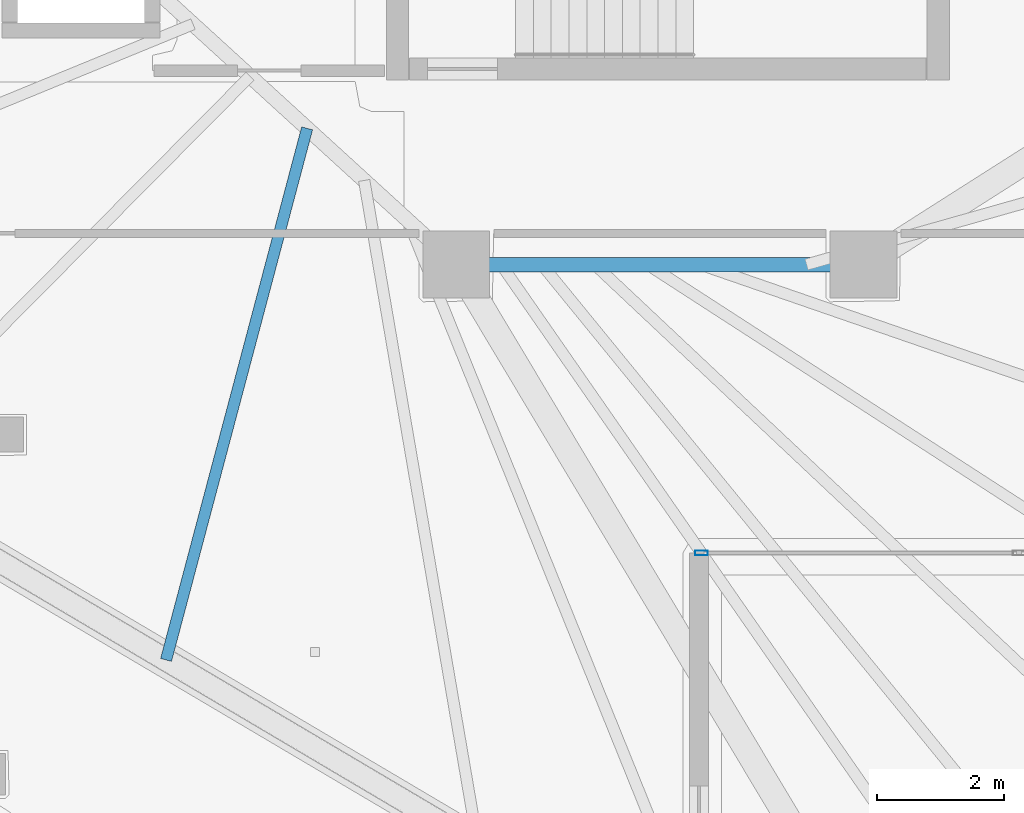
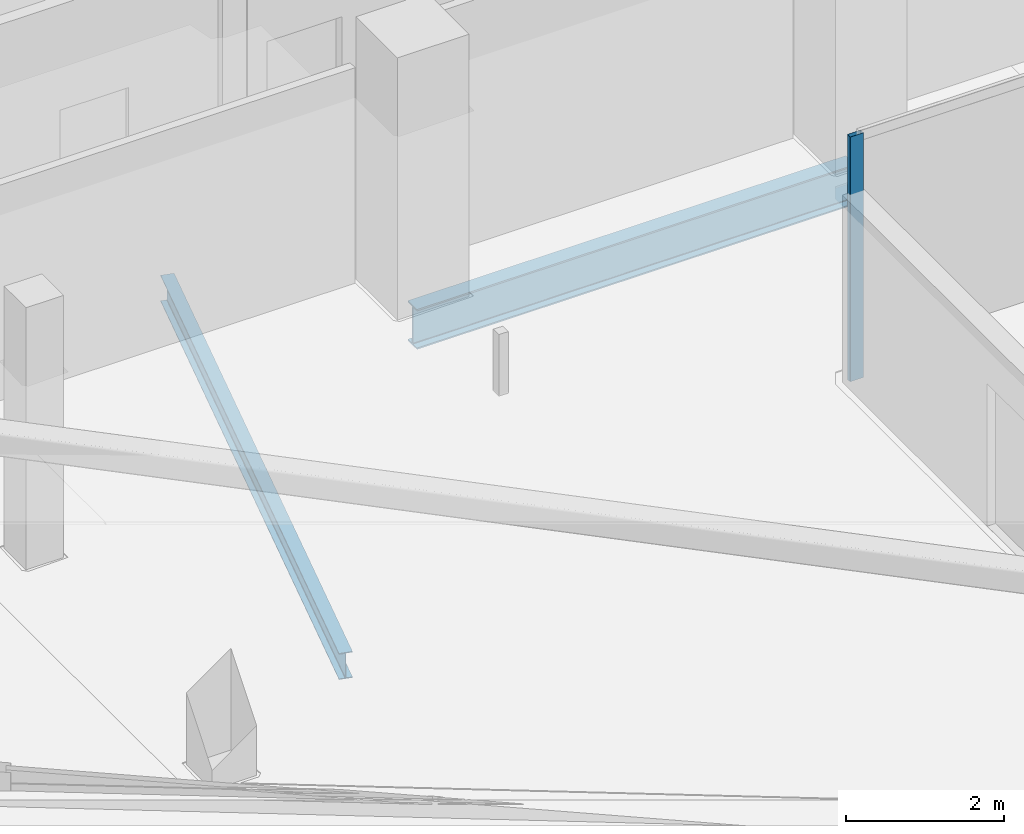
# One storey, part 10 of 43: 2 beams, 1 member, 1 element without a shape of its own.
"""IFC4 building model written with IfcOpenShell, lengths in metres."""

from ifc_helpers import new_model, si_unit, direction, frame, origin, origin_2d, place, context, subcontext, project, spatial, hollow_rectangle, i_section, extrude, material, layer, layer_set, material_profile, profile_set, type_object, element, aggregate, save


model = new_model("IFC4")

# Units and contexts
model_context = context("Model", 3, precision=1e-05, world=origin(), true_north=direction((0.0, 1.0)))
body_context = subcontext(model_context, "Body", "Model", "MODEL_VIEW")
ifc_project = project(units=[si_unit("LENGTHUNIT", "METRE"), si_unit("AREAUNIT", "SQUARE_METRE"), si_unit("VOLUMEUNIT", "CUBIC_METRE"), si_unit("PLANEANGLEUNIT", "RADIAN"), si_unit("MASSUNIT", "GRAM", prefix="KILO")], contexts=[model_context])

# Site, building, storey
site_placement = place(None, origin())
site = spatial("IfcSite", under=ifc_project, at=site_placement, CompositionType="ELEMENT")
building_placement = place(site_placement, origin())
building = spatial("IfcBuilding", under=site, at=building_placement, Name="Qorvath Tower", CompositionType="ELEMENT")
storey_placement = place(building_placement, frame((0.0, 0.0, 150.300048828125)))
storey = spatial("IfcBuildingStorey", under=building, at=storey_placement, Name="L34", CompositionType="ELEMENT", Elevation=150.300048828125)

# Beams
ifc_material_1 = material(Name="Steel ASTM A992 Grade 50", Category="steel")
ifc_material_profile_1 = material_profile(ifc_material_1, i_section(OverallWidth=0.22998046875, OverallDepth=0.616943359375, WebThickness=0.01318359375, FlangeThickness=0.022216796875, FilletRadius=0.014892578125, at=origin_2d()), Name="W24x94")
ifc_profile_set_1 = profile_set([ifc_material_profile_1], Name="Steel ASTM A992 Grade 50")
beam_type_1 = type_object("IfcBeamType", Name="BM-FG6", PredefinedType="BEAM", material=ifc_profile_set_1)
beam_1_placement = place(storey_placement, frame((-17.199951171875, -11.449951171875, -0.57861328125), z_axis=(-1.0, 0.0, 0.0), x_axis=(0.0, -1.0, 0.0)))
element("IfcBeam", 1, at=beam_1_placement, inside=storey, type_object=beam_type_1, Name="Core Ring Girder CC3-CC4 L34", PredefinedType="BEAM", context=body_context, shape_type="SweptSolid", body=[
    extrude(i_section(OverallWidth=0.22998046875, OverallDepth=0.616943359375, WebThickness=0.01318359375, FlangeThickness=0.022216796875, FilletRadius=0.014892578125, at=origin_2d()), origin(), (0.0, 0.0, 1.0), 6.400146484375),
])
ifc_material_2 = material(Name="Steel ASTM A992 Grade 50", Category="steel")
ifc_material_profile_2 = material_profile(ifc_material_2, i_section(OverallWidth=0.177978515625, OverallDepth=0.406005859375, WebThickness=0.0078125, FlangeThickness=0.0126953125, FilletRadius=0.010986328125, at=origin_2d()), Name="W16x40")
ifc_profile_set_2 = profile_set([ifc_material_profile_2], Name="Steel ASTM A992 Grade 50")
beam_type_2 = type_object("IfcBeamType", Name="BM-FJ3", PredefinedType="JOIST", material=ifc_profile_set_2)
beam_2_placement = place(storey_placement, frame((-25.946044921875, -9.30810546875, -0.47314453125), z_axis=(-0.256507909517, -0.966542131702, 0.0), x_axis=(0.966542131702, -0.256507909517, 0.0)))
element("IfcBeam", 2, at=beam_2_placement, inside=storey, type_object=beam_type_2, Name="Composite Floor Joist SW5 L34", PredefinedType="JOIST", context=body_context, shape_type="SweptSolid", body=[
    extrude(i_section(OverallWidth=0.177978515625, OverallDepth=0.406005859375, WebThickness=0.0078125, FlangeThickness=0.0126953125, FilletRadius=0.010986328125, at=origin_2d()), origin(), (0.0, 0.0, 1.0), 8.64697265625),
])

# Curtain wall, member
ifc_material_3 = material(Name="Anodised aluminium and triple low-E glass", Category="aluminium")
ifc_layer = layer(ifc_material_3, 0.179931640625)
ifc_layer_set = layer_set([ifc_layer], Name="CW-SYS-5")
curtain_wall_type = type_object("IfcCurtainWallType", Name="CW-SYS-5", PredefinedType="NOTDEFINED", material=ifc_layer_set)
curtain_wall_placement = place(storey_placement, origin())
curtain_wall = element("IfcCurtainWall", 3, at=curtain_wall_placement, inside=storey, type_object=curtain_wall_type, Name="Curtain Wall CW-5 CW-T-L34-2.1", PredefinedType="NOTDEFINED")
ifc_material_4 = material(Name="Anodised aluminium 6063-T6", Category="aluminium")
ifc_material_profile_3 = material_profile(ifc_material_4, hollow_rectangle(XDim=0.074951171875, YDim=0.199951171875, WallThickness=0.00390625, InnerFilletRadius=0.00390625, OuterFilletRadius=0.008056640625, at=origin_2d()), Name="CWM 200x75")
ifc_profile_set_3 = profile_set([ifc_material_profile_3], Name="Anodised aluminium 6063-T6")
member_type = type_object("IfcMemberType", Name="CWM-200", PredefinedType="MULLION", material=ifc_profile_set_3)
member_placement = place(storey_placement, frame((-19.746337890625, -15.98388671875, 0.0), z_axis=(0.0, 0.0, 1.0), x_axis=(0.0, 1.0, 0.0)))
member = element("IfcMember", 4, at=member_placement, type_object=member_type, Name="CW-5 mullion 1", PredefinedType="MULLION", context=body_context, shape_type="SweptSolid", body=[
    extrude(hollow_rectangle(XDim=0.074951171875, YDim=0.199951171875, WallThickness=0.00390625, InnerFilletRadius=0.00390625, OuterFilletRadius=0.008056640625, at=origin_2d()), origin(), (0.0, 0.0, 1.0), 3.780029296875),
])
aggregate(curtain_wall, [member])

save(model, "model.ifc")
